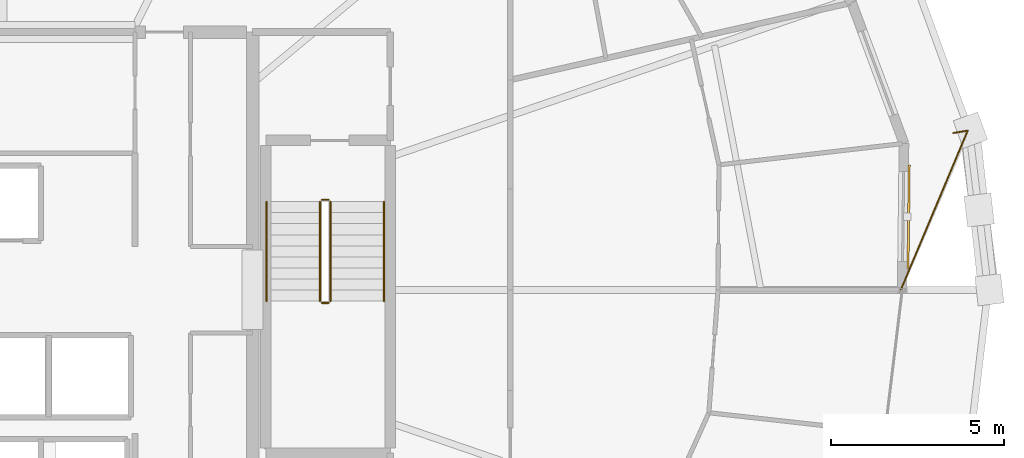
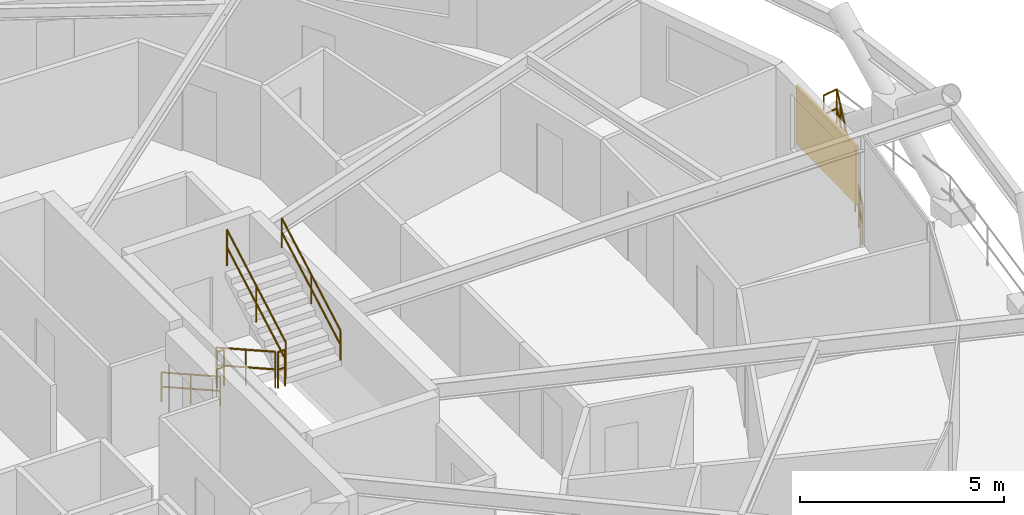
# One storey, part 21 of 21: 7 railings, 1 shading device.
"""IFC4 building model written with IfcOpenShell, lengths in metres."""

from ifc_helpers import new_model, si_unit, direction, frame, origin, origin_2d, place, context, subcontext, project, spatial, rectangle, circle, extrude, material, layer, layer_set, type_object, element, save


model = new_model("IFC4")

# Units and contexts
model_context = context("Model", 3, precision=1e-05, world=origin(), true_north=direction((0.0, 1.0)))
body_context = subcontext(model_context, "Body", "Model", "MODEL_VIEW")
ifc_project = project(units=[si_unit("LENGTHUNIT", "METRE"), si_unit("AREAUNIT", "SQUARE_METRE"), si_unit("VOLUMEUNIT", "CUBIC_METRE"), si_unit("PLANEANGLEUNIT", "RADIAN"), si_unit("MASSUNIT", "GRAM", prefix="KILO")], contexts=[model_context])

# Site, building, storey
site_placement = place(None, origin())
site = spatial("IfcSite", under=ifc_project, at=site_placement, CompositionType="ELEMENT")
building_placement = place(site_placement, origin())
building = spatial("IfcBuilding", under=site, at=building_placement, Name="Veldorina Hangang Commons", CompositionType="ELEMENT")
storey_placement = place(building_placement, frame((0.0, 0.0, 135.199951171875)))
storey = spatial("IfcBuildingStorey", under=building, at=storey_placement, Name="L34", CompositionType="ELEMENT", Elevation=135.199951171875)

# Railings
ifc_material_1 = material(Name="Glass Laminated Safety Balustrade", Category="glass")
railing_type_1 = type_object("IfcRailingType", Name="RL-BAL-LOGGIA", PredefinedType="BALUSTRADE", material=ifc_material_1)
railing_1_placement = place(storey_placement, frame((59.46044921875, 28.53271484375, 0.0)))
element("IfcRailing", 1, at=railing_1_placement, inside=storey, type_object=railing_type_1, Name="L34 sky-garden loggia end balustrade B", PredefinedType="BALUSTRADE", context=body_context, shape_type="SweptSolid", body=[
    extrude(circle(Radius=0.02392578125, at=origin_2d()), frame((0.0, 0.0, 1.17578125), z_axis=(0.986659757818, 0.162795952969, 0.0), x_axis=(-0.162795952969, 0.986659757818, 0.0)), (0.0, 0.0, 1.0), 0.419921875),
    extrude(circle(Radius=0.02392578125, at=origin_2d()), frame((0.0, 0.0, 0.60009765625), z_axis=(0.986659757818, 0.162795952969, 0.0), x_axis=(-0.162795952969, 0.986659757818, 0.0)), (0.0, 0.0, 1.0), 0.419921875),
    extrude(circle(Radius=0.02392578125, at=origin_2d()), frame((0.414306640625, 0.068359375, 1.17578125), z_axis=(-0.387385505233, -0.921917821899, 0.0), x_axis=(0.921917821899, -0.387385505233, 0.0)), (0.0, 0.0, 1.0), 4.99072265625),
    extrude(circle(Radius=0.02392578125, at=origin_2d()), frame((0.414306640625, 0.068359375, 0.60009765625), z_axis=(-0.387385505233, -0.921917821899, 0.0), x_axis=(0.921917821899, -0.387385505233, 0.0)), (0.0, 0.0, 1.0), 4.99072265625),
    extrude(circle(Radius=0.02099609375, at=origin_2d()), origin(), (0.0, 0.0, 1.0), 1.15185546875),
    extrude(circle(Radius=0.02099609375, at=origin_2d()), frame((0.414306640625, 0.068359375, 0.0)), (0.0, 0.0, 1.0), 1.15185546875),
    extrude(circle(Radius=0.02099609375, at=origin_2d()), frame((0.13818359375, -0.5888671875, 0.0)), (0.0, 0.0, 1.0), 1.15185546875),
    extrude(circle(Radius=0.02099609375, at=origin_2d()), frame((-0.13818359375, -1.246337890625, 0.0)), (0.0, 0.0, 1.0), 1.15185546875),
    extrude(circle(Radius=0.02099609375, at=origin_2d()), frame((-0.414306640625, -1.903564453125, 0.0)), (0.0, 0.0, 1.0), 1.15185546875),
    extrude(circle(Radius=0.02099609375, at=origin_2d()), frame((-0.6904296875, -2.560791015625, 0.0)), (0.0, 0.0, 1.0), 1.15185546875),
    extrude(circle(Radius=0.02099609375, at=origin_2d()), frame((-0.966552734375, -3.218017578125, 0.0)), (0.0, 0.0, 1.0), 1.15185546875),
    extrude(circle(Radius=0.02099609375, at=origin_2d()), frame((-1.242919921875, -3.87548828125, 0.0)), (0.0, 0.0, 1.0), 1.15185546875),
    extrude(circle(Radius=0.02099609375, at=origin_2d()), frame((-1.51904296875, -4.53271484375, 0.0)), (0.0, 0.0, 1.0), 1.15185546875),
])
ifc_material_2 = material(Name="Steel Painted Balustrade", Category="steel")
railing_type_2 = type_object("IfcRailingType", Name="RL-GRD-STAIR", PredefinedType="GUARDRAIL", material=ifc_material_2)
railing_2_placement = place(storey_placement, frame((41.14990234375, 26.550048828125, 0.179931640625)))
element("IfcRailing", 2, at=railing_2_placement, inside=storey, type_object=railing_type_2, Name="L34 ST-2 stair guard 1", PredefinedType="GUARDRAIL", context=body_context, shape_type="SweptSolid", body=[
    extrude(circle(Radius=0.02392578125, at=origin_2d()), frame((0.0, 0.0, 1.076171875), z_axis=(0.0, -0.871569617843, 0.490271762652), x_axis=(1.0, 0.0, 0.0)), (0.0, 0.0, 1.0), 3.304443359375),
    extrude(circle(Radius=0.02392578125, at=origin_2d()), frame((0.0, 0.0, 0.550048828125), z_axis=(0.0, -0.871569617843, 0.490271762652), x_axis=(1.0, 0.0, 0.0)), (0.0, 0.0, 1.0), 3.304443359375),
    extrude(circle(Radius=0.02099609375, at=origin_2d()), origin(), (0.0, 0.0, 1.0), 1.052001953125),
    extrude(circle(Radius=0.02099609375, at=origin_2d()), frame((0.0, -1.43994140625, 0.81005859375)), (0.0, 0.0, 1.0), 1.052001953125),
    extrude(circle(Radius=0.02099609375, at=origin_2d()), frame((0.0, -2.880126953125, 1.6201171875)), (0.0, 0.0, 1.0), 1.052001953125),
])
railing_3_placement = place(storey_placement, frame((41.199951171875, 23.6201171875, 1.800048828125)))
element("IfcRailing", 3, at=railing_3_placement, inside=storey, type_object=railing_type_2, Name="L34 ST-2 stair guard 2", PredefinedType="GUARDRAIL", context=body_context, shape_type="SweptSolid", body=[
    extrude(circle(Radius=0.02392578125, at=origin_2d()), frame((0.0, 0.0, 1.076171875), z_axis=(1.0, 0.0, 0.0), x_axis=(0.0, 1.0, 0.0)), (0.0, 0.0, 1.0), 0.199951171875),
    extrude(circle(Radius=0.02392578125, at=origin_2d()), frame((0.0, 0.0, 0.550048828125), z_axis=(1.0, 0.0, 0.0), x_axis=(0.0, 1.0, 0.0)), (0.0, 0.0, 1.0), 0.199951171875),
    extrude(circle(Radius=0.02099609375, at=origin_2d()), origin(), (0.0, 0.0, 1.0), 1.052001953125),
    extrude(circle(Radius=0.02099609375, at=origin_2d()), frame((0.199951171875, 0.0, 0.0)), (0.0, 0.0, 1.0), 1.052001953125),
])
railing_4_placement = place(storey_placement, frame((41.449951171875, 23.669921875, 1.97998046875)))
element("IfcRailing", 4, at=railing_4_placement, inside=storey, type_object=railing_type_2, Name="L34 ST-2 stair guard 3", PredefinedType="GUARDRAIL", context=body_context, shape_type="SweptSolid", body=[
    extrude(circle(Radius=0.02392578125, at=origin_2d()), frame((0.0, 0.0, 1.076171875), z_axis=(0.0, 0.871569617843, 0.490271762652), x_axis=(-1.0, 0.0, 0.0)), (0.0, 0.0, 1.0), 3.304443359375),
    extrude(circle(Radius=0.02392578125, at=origin_2d()), frame((0.0, 0.0, 0.550048828125), z_axis=(0.0, 0.871569617843, 0.490271762652), x_axis=(-1.0, 0.0, 0.0)), (0.0, 0.0, 1.0), 3.304443359375),
    extrude(circle(Radius=0.02099609375, at=origin_2d()), origin(), (0.0, 0.0, 1.0), 1.052001953125),
    extrude(circle(Radius=0.02099609375, at=origin_2d()), frame((0.0, 1.43994140625, 0.81005859375)), (0.0, 0.0, 1.0), 1.052001953125),
    extrude(circle(Radius=0.02099609375, at=origin_2d()), frame((0.0, 2.880126953125, 1.6201171875)), (0.0, 0.0, 1.0), 1.052001953125),
])
railing_5_placement = place(storey_placement, frame((41.199951171875, 26.60009765625, 0.0)))
element("IfcRailing", 5, at=railing_5_placement, inside=storey, type_object=railing_type_2, Name="L34 ST-2 stair guard 4", PredefinedType="GUARDRAIL", context=body_context, shape_type="SweptSolid", body=[
    extrude(circle(Radius=0.02392578125, at=origin_2d()), frame((0.0, 0.0, 1.076171875), z_axis=(1.0, 0.0, 0.0), x_axis=(0.0, 1.0, 0.0)), (0.0, 0.0, 1.0), 0.199951171875),
    extrude(circle(Radius=0.02392578125, at=origin_2d()), frame((0.0, 0.0, 0.550048828125), z_axis=(1.0, 0.0, 0.0), x_axis=(0.0, 1.0, 0.0)), (0.0, 0.0, 1.0), 0.199951171875),
    extrude(circle(Radius=0.02099609375, at=origin_2d()), origin(), (0.0, 0.0, 1.0), 1.052001953125),
    extrude(circle(Radius=0.02099609375, at=origin_2d()), frame((0.199951171875, 0.0, 0.0)), (0.0, 0.0, 1.0), 1.052001953125),
])
ifc_material_3 = material(Name="Stainless Steel Brushed 316", Category="steel")
railing_type_3 = type_object("IfcRailingType", Name="RL-HND-STAIR", PredefinedType="HANDRAIL", material=ifc_material_3)
railing_6_placement = place(storey_placement, frame((39.60009765625, 26.550048828125, 0.179931640625)))
element("IfcRailing", 6, at=railing_6_placement, inside=storey, type_object=railing_type_3, Name="L34 ST-2 stair handrail 1", PredefinedType="HANDRAIL", context=body_context, shape_type="SweptSolid", body=[
    extrude(circle(Radius=0.02392578125, at=origin_2d()), frame((0.0, 0.0, 0.8759765625), z_axis=(0.0, -0.871569617843, 0.490271762652), x_axis=(1.0, 0.0, 0.0)), (0.0, 0.0, 1.0), 3.304443359375),
    extrude(circle(Radius=0.02392578125, at=origin_2d()), frame((0.0, 0.0, 0.449951171875), z_axis=(0.0, -0.871569617843, 0.490271762652), x_axis=(1.0, 0.0, 0.0)), (0.0, 0.0, 1.0), 3.304443359375),
    extrude(circle(Radius=0.02099609375, at=origin_2d()), origin(), (0.0, 0.0, 1.0), 0.851806640625),
    extrude(circle(Radius=0.02099609375, at=origin_2d()), frame((0.0, -1.43994140625, 0.81005859375)), (0.0, 0.0, 1.0), 0.851806640625),
    extrude(circle(Radius=0.02099609375, at=origin_2d()), frame((0.0, -2.880126953125, 1.6201171875)), (0.0, 0.0, 1.0), 0.851806640625),
])
railing_7_placement = place(storey_placement, frame((43.0, 23.669921875, 1.97998046875)))
element("IfcRailing", 7, at=railing_7_placement, inside=storey, type_object=railing_type_3, Name="L34 ST-2 stair handrail 2", PredefinedType="HANDRAIL", context=body_context, shape_type="SweptSolid", body=[
    extrude(circle(Radius=0.02392578125, at=origin_2d()), frame((0.0, 0.0, 0.8759765625), z_axis=(0.0, 0.871569617843, 0.490271762652), x_axis=(-1.0, 0.0, 0.0)), (0.0, 0.0, 1.0), 3.304443359375),
    extrude(circle(Radius=0.02392578125, at=origin_2d()), frame((0.0, 0.0, 0.449951171875), z_axis=(0.0, 0.871569617843, 0.490271762652), x_axis=(-1.0, 0.0, 0.0)), (0.0, 0.0, 1.0), 3.304443359375),
    extrude(circle(Radius=0.02099609375, at=origin_2d()), origin(), (0.0, 0.0, 1.0), 0.851806640625),
    extrude(circle(Radius=0.02099609375, at=origin_2d()), frame((0.0, 1.43994140625, 0.81005859375)), (0.0, 0.0, 1.0), 0.851806640625),
    extrude(circle(Radius=0.02099609375, at=origin_2d()), frame((0.0, 2.880126953125, 1.6201171875)), (0.0, 0.0, 1.0), 0.851806640625),
])

# Shading device
ifc_material_4 = material(Name="Ceramic Glazed Terracotta", Category="masonry")
ifc_layer = layer(ifc_material_4, 0.06005859375)
ifc_layer_set = layer_set([ifc_layer], Name="Ceramic Glazed Terracotta")
shading_device_type = type_object("IfcShadingDeviceType", Name="SCR-CER-3000", PredefinedType="USERDEFINED", material=ifc_layer_set)
shading_device_placement = place(storey_placement, frame((58.166259765625, 26.114013671875, 0.75), z_axis=(0.0, 0.0, 1.0), x_axis=(0.011815604092, 0.999930193313, 0.0)))
element("IfcShadingDevice", 8, at=shading_device_placement, inside=storey, type_object=shading_device_type, Name="L34 PERFORATED CERAMIC SOLAR SCREEN 00", ObjectType="SCREEN", PredefinedType="USERDEFINED", context=body_context, shape_type="SweptSolid", body=[
    extrude(rectangle(XDim=3.0, YDim=0.06005859375, at=origin_2d()), origin(), (0.0, 0.0, 1.0), 1.75),
])

save(model, "model.ifc")
